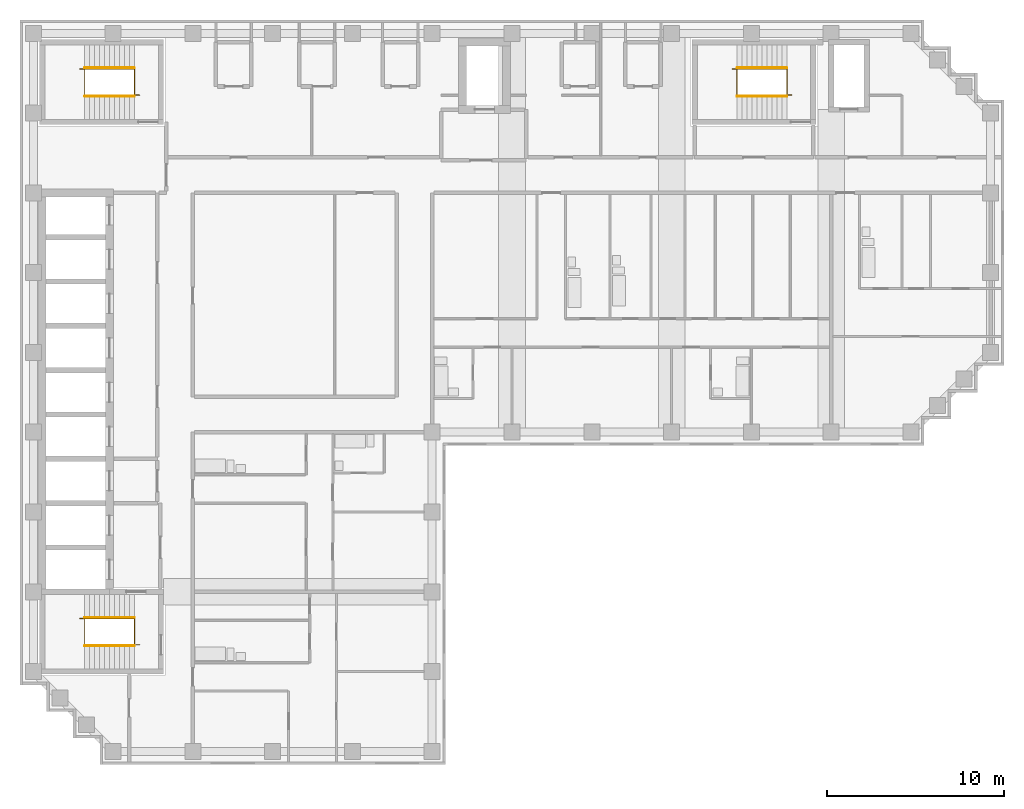
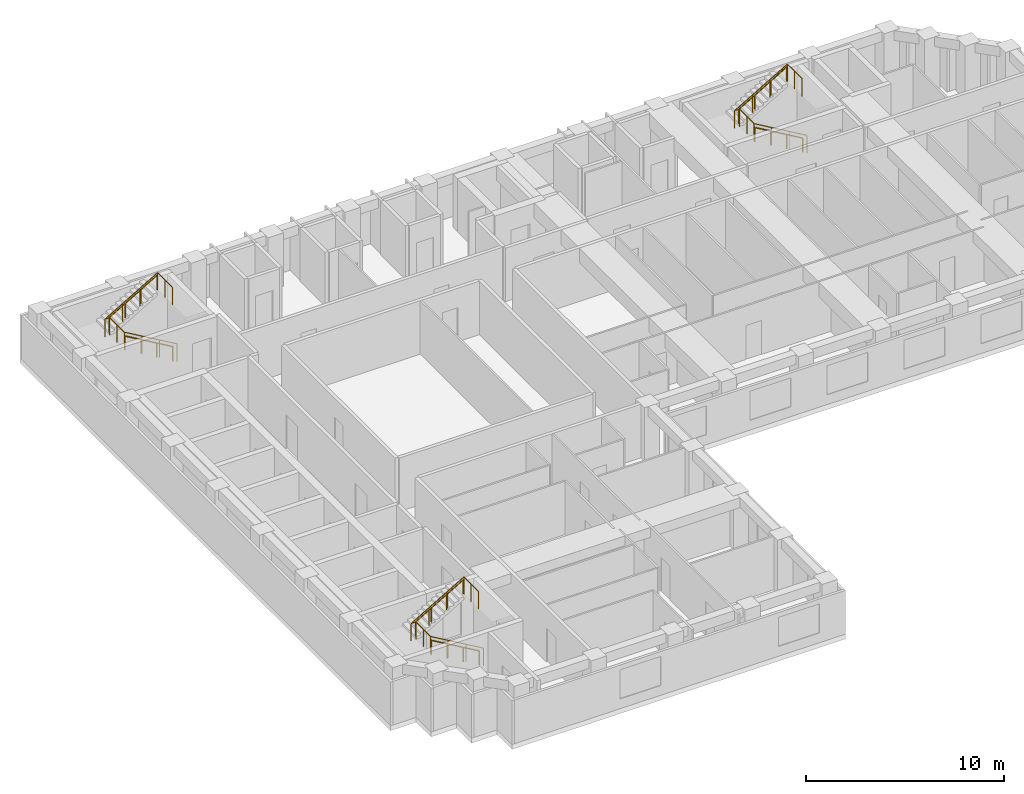
# One storey, part 8 of 9: 9 railings.
"""IFC4 building model written with IfcOpenShell, lengths in metres."""

from ifc_helpers import new_model, si_unit, direction, frame, origin, origin_2d, place, context, subcontext, project, spatial, circle, extrude, material, type_object, element, save


model = new_model("IFC4")

# Units and contexts
model_context = context("Model", 3, precision=1e-05, world=origin(), true_north=direction((0.0, 1.0)))
body_context = subcontext(model_context, "Body", "Model", "MODEL_VIEW")
ifc_project = project(units=[si_unit("LENGTHUNIT", "METRE"), si_unit("AREAUNIT", "SQUARE_METRE"), si_unit("VOLUMEUNIT", "CUBIC_METRE"), si_unit("PLANEANGLEUNIT", "RADIAN"), si_unit("MASSUNIT", "GRAM", prefix="KILO")], contexts=[model_context])

# Site, building, storey
site_placement = place(None, origin())
site = spatial("IfcSite", under=ifc_project, at=site_placement, CompositionType="ELEMENT")
building_placement = place(site_placement, origin())
building = spatial("IfcBuilding", under=site, at=building_placement, Name="Firuza Court", CompositionType="ELEMENT")
storey_placement = place(building_placement, frame((0.0, 0.0, 225.800048828125)))
storey = spatial("IfcBuildingStorey", under=building, at=storey_placement, Name="L58", CompositionType="ELEMENT", Elevation=225.800048828125)

# Railings
ifc_material_1 = material(Name="Steel S355", Category="steel")
railing_type_1 = type_object("IfcRailingType", Name="Handrail 900", PredefinedType="HANDRAIL", material=ifc_material_1)
railing_1_placement = place(storey_placement, frame((42.5, 54.949951171875, 0.16357421875)))
element("IfcRailing", 1, at=railing_1_placement, inside=storey, type_object=railing_type_1, Name="Handrail S1 flight 1", PredefinedType="HANDRAIL", context=body_context, shape_type="SweptSolid", body=[
    extrude(circle(Radius=0.02490234375, at=origin_2d()), frame((0.0, 0.0, 0.875), z_axis=(-0.863360870873, 0.0, 0.504586966384), x_axis=(0.0, -1.0, 0.0)), (0.0, 0.0, 1.0), 3.2431640625),
    extrude(circle(Radius=0.02001953125, at=origin_2d()), origin(), (0.0, 0.0, 1.0), 0.849853515625),
    extrude(circle(Radius=0.02001953125, at=origin_2d()), frame((-0.933349609375, 0.0, 0.54541015625)), (0.0, 0.0, 1.0), 0.849853515625),
    extrude(circle(Radius=0.02001953125, at=origin_2d()), frame((-1.86669921875, 0.0, 1.091064453125)), (0.0, 0.0, 1.0), 0.849853515625),
    extrude(circle(Radius=0.02001953125, at=origin_2d()), frame((-2.800048828125, 0.0, 1.636474609375)), (0.0, 0.0, 1.0), 0.849853515625),
])
railing_2_placement = place(storey_placement, frame((39.699951171875, 56.550048828125, 1.963623046875)))
element("IfcRailing", 2, at=railing_2_placement, inside=storey, type_object=railing_type_1, Name="Handrail S1 flight 2", PredefinedType="HANDRAIL", context=body_context, shape_type="SweptSolid", body=[
    extrude(circle(Radius=0.02490234375, at=origin_2d()), frame((0.0, 0.0, 0.875), z_axis=(0.863393664356, 0.0, 0.504530851732), x_axis=(0.0, 1.0, 0.0)), (0.0, 0.0, 1.0), 3.2431640625),
    extrude(circle(Radius=0.02001953125, at=origin_2d()), origin(), (0.0, 0.0, 1.0), 0.849853515625),
    extrude(circle(Radius=0.02001953125, at=origin_2d()), frame((0.933349609375, 0.0, 0.54541015625)), (0.0, 0.0, 1.0), 0.849853515625),
    extrude(circle(Radius=0.02001953125, at=origin_2d()), frame((1.86669921875, 0.0, 1.0908203125)), (0.0, 0.0, 1.0), 0.849853515625),
    extrude(circle(Radius=0.02001953125, at=origin_2d()), frame((2.800048828125, 0.0, 1.63623046875)), (0.0, 0.0, 1.0), 0.849853515625),
])
railing_3_placement = place(storey_placement, frame((5.699951171875, 23.949951171875, 0.16357421875)))
element("IfcRailing", 3, at=railing_3_placement, inside=storey, type_object=railing_type_1, Name="Handrail S2 flight 1", PredefinedType="HANDRAIL", context=body_context, shape_type="SweptSolid", body=[
    extrude(circle(Radius=0.02490234375, at=origin_2d()), frame((0.0, 0.0, 0.875), z_axis=(-0.863360870873, 0.0, 0.504586966384), x_axis=(0.0, -1.0, 0.0)), (0.0, 0.0, 1.0), 3.2431640625),
    extrude(circle(Radius=0.02001953125, at=origin_2d()), origin(), (0.0, 0.0, 1.0), 0.849853515625),
    extrude(circle(Radius=0.02001953125, at=origin_2d()), frame((-0.933349609375, 0.0, 0.54541015625)), (0.0, 0.0, 1.0), 0.849853515625),
    extrude(circle(Radius=0.02001953125, at=origin_2d()), frame((-1.86669921875, 0.0, 1.091064453125)), (0.0, 0.0, 1.0), 0.849853515625),
    extrude(circle(Radius=0.02001953125, at=origin_2d()), frame((-2.800048828125, 0.0, 1.636474609375)), (0.0, 0.0, 1.0), 0.849853515625),
])
railing_4_placement = place(storey_placement, frame((2.89990234375, 25.550048828125, 1.963623046875)))
element("IfcRailing", 4, at=railing_4_placement, inside=storey, type_object=railing_type_1, Name="Handrail S2 flight 2", PredefinedType="HANDRAIL", context=body_context, shape_type="SweptSolid", body=[
    extrude(circle(Radius=0.02490234375, at=origin_2d()), frame((0.0, 0.0, 0.875), z_axis=(0.863393664356, 0.0, 0.504530851732), x_axis=(0.0, 1.0, 0.0)), (0.0, 0.0, 1.0), 3.2431640625),
    extrude(circle(Radius=0.02001953125, at=origin_2d()), origin(), (0.0, 0.0, 1.0), 0.849853515625),
    extrude(circle(Radius=0.02001953125, at=origin_2d()), frame((0.933349609375, 0.0, 0.54541015625)), (0.0, 0.0, 1.0), 0.849853515625),
    extrude(circle(Radius=0.02001953125, at=origin_2d()), frame((1.86669921875, 0.0, 1.0908203125)), (0.0, 0.0, 1.0), 0.849853515625),
    extrude(circle(Radius=0.02001953125, at=origin_2d()), frame((2.800048828125, 0.0, 1.63623046875)), (0.0, 0.0, 1.0), 0.849853515625),
])
railing_5_placement = place(storey_placement, frame((5.699951171875, 54.949951171875, 0.16357421875)))
element("IfcRailing", 5, at=railing_5_placement, inside=storey, type_object=railing_type_1, Name="Handrail S3 flight 1", PredefinedType="HANDRAIL", context=body_context, shape_type="SweptSolid", body=[
    extrude(circle(Radius=0.02490234375, at=origin_2d()), frame((0.0, 0.0, 0.875), z_axis=(-0.863360870873, 0.0, 0.504586966384), x_axis=(0.0, -1.0, 0.0)), (0.0, 0.0, 1.0), 3.2431640625),
    extrude(circle(Radius=0.02001953125, at=origin_2d()), origin(), (0.0, 0.0, 1.0), 0.849853515625),
    extrude(circle(Radius=0.02001953125, at=origin_2d()), frame((-0.933349609375, 0.0, 0.54541015625)), (0.0, 0.0, 1.0), 0.849853515625),
    extrude(circle(Radius=0.02001953125, at=origin_2d()), frame((-1.86669921875, 0.0, 1.091064453125)), (0.0, 0.0, 1.0), 0.849853515625),
    extrude(circle(Radius=0.02001953125, at=origin_2d()), frame((-2.800048828125, 0.0, 1.636474609375)), (0.0, 0.0, 1.0), 0.849853515625),
])
railing_6_placement = place(storey_placement, frame((2.89990234375, 56.550048828125, 1.963623046875)))
element("IfcRailing", 6, at=railing_6_placement, inside=storey, type_object=railing_type_1, Name="Handrail S3 flight 2", PredefinedType="HANDRAIL", context=body_context, shape_type="SweptSolid", body=[
    extrude(circle(Radius=0.02490234375, at=origin_2d()), frame((0.0, 0.0, 0.875), z_axis=(0.863393664356, 0.0, 0.504530851732), x_axis=(0.0, 1.0, 0.0)), (0.0, 0.0, 1.0), 3.2431640625),
    extrude(circle(Radius=0.02001953125, at=origin_2d()), origin(), (0.0, 0.0, 1.0), 0.849853515625),
    extrude(circle(Radius=0.02001953125, at=origin_2d()), frame((0.933349609375, 0.0, 0.54541015625)), (0.0, 0.0, 1.0), 0.849853515625),
    extrude(circle(Radius=0.02001953125, at=origin_2d()), frame((1.86669921875, 0.0, 1.0908203125)), (0.0, 0.0, 1.0), 0.849853515625),
    extrude(circle(Radius=0.02001953125, at=origin_2d()), frame((2.800048828125, 0.0, 1.63623046875)), (0.0, 0.0, 1.0), 0.849853515625),
])
ifc_material_2 = material(Name="Steel S355", Category="steel")
railing_type_2 = type_object("IfcRailingType", Name="Stair guard 1100", PredefinedType="GUARDRAIL", material=ifc_material_2)
railing_7_placement = place(storey_placement, frame((42.780029296875, 55.010009765625, 0.0)))
element("IfcRailing", 7, at=railing_7_placement, inside=storey, type_object=railing_type_2, Name="Stair well guard S1", PredefinedType="GUARDRAIL", context=body_context, shape_type="SweptSolid", body=[
    extrude(circle(Radius=0.02490234375, at=origin_2d()), frame((0.0, 0.0, 1.0751953125), z_axis=(-0.863371556955, 0.0, 0.504568681787), x_axis=(0.0, -1.0, 0.0)), (0.0, 0.0, 1.0), 3.5673828125),
    extrude(circle(Radius=0.02490234375, at=origin_2d()), frame((-3.080078125, 0.0, 2.875), z_axis=(0.0, 1.0, 0.0), x_axis=(-1.0, 0.0, 0.0)), (0.0, 0.0, 1.0), 1.47998046875),
    extrude(circle(Radius=0.02490234375, at=origin_2d()), frame((-3.080078125, 1.47998046875, 2.875), z_axis=(-1.0, 0.0, 0.0), x_axis=(0.0, -1.0, 0.0)), (0.0, 0.0, 1.0), 0.280029296875),
    extrude(circle(Radius=0.02490234375, at=origin_2d()), frame((-3.360107421875, 1.47998046875, 2.875), z_axis=(0.863401368682, 0.0, 0.504517667242), x_axis=(0.0, 1.0, 0.0)), (0.0, 0.0, 1.0), 3.5673828125),
    extrude(circle(Radius=0.02490234375, at=origin_2d()), frame((-0.280029296875, 1.47998046875, 4.6748046875), z_axis=(0.0, -1.0, 0.0), x_axis=(1.0, 0.0, 0.0)), (0.0, 0.0, 1.0), 1.47998046875),
    extrude(circle(Radius=0.02490234375, at=origin_2d()), origin(), (0.0, 0.0, 1.0), 1.050048828125),
    extrude(circle(Radius=0.02490234375, at=origin_2d()), frame((-1.026611328125, 0.0, 0.60009765625)), (0.0, 0.0, 1.0), 1.050048828125),
    extrude(circle(Radius=0.02490234375, at=origin_2d()), frame((-2.053466796875, 0.0, 1.199951171875)), (0.0, 0.0, 1.0), 1.050048828125),
    extrude(circle(Radius=0.02490234375, at=origin_2d()), frame((-3.080078125, 0.0, 1.800048828125)), (0.0, 0.0, 1.0), 1.050048828125),
    extrude(circle(Radius=0.02490234375, at=origin_2d()), frame((-3.080078125, 0.739990234375, 1.800048828125)), (0.0, 0.0, 1.0), 1.050048828125),
    extrude(circle(Radius=0.02490234375, at=origin_2d()), frame((-3.080078125, 1.47998046875, 1.800048828125)), (0.0, 0.0, 1.0), 1.050048828125),
    extrude(circle(Radius=0.02490234375, at=origin_2d()), frame((-3.360107421875, 1.47998046875, 1.800048828125)), (0.0, 0.0, 1.0), 1.050048828125),
    extrude(circle(Radius=0.02490234375, at=origin_2d()), frame((-2.33349609375, 1.47998046875, 2.39990234375)), (0.0, 0.0, 1.0), 1.050048828125),
    extrude(circle(Radius=0.02490234375, at=origin_2d()), frame((-1.306640625, 1.47998046875, 3.0)), (0.0, 0.0, 1.0), 1.050048828125),
    extrude(circle(Radius=0.02490234375, at=origin_2d()), frame((-0.280029296875, 1.47998046875, 3.599853515625)), (0.0, 0.0, 1.0), 1.050048828125),
    extrude(circle(Radius=0.02490234375, at=origin_2d()), frame((-0.280029296875, 0.739990234375, 3.599853515625)), (0.0, 0.0, 1.0), 1.050048828125),
    extrude(circle(Radius=0.02490234375, at=origin_2d()), frame((-0.280029296875, 0.0, 3.599853515625)), (0.0, 0.0, 1.0), 1.050048828125),
])
railing_8_placement = place(storey_placement, frame((5.97998046875, 24.010009765625, 0.0)))
element("IfcRailing", 8, at=railing_8_placement, inside=storey, type_object=railing_type_2, Name="Stair well guard S2", PredefinedType="GUARDRAIL", context=body_context, shape_type="SweptSolid", body=[
    extrude(circle(Radius=0.02490234375, at=origin_2d()), frame((0.0, 0.0, 1.0751953125), z_axis=(-0.863371556955, 0.0, 0.504568681787), x_axis=(0.0, -1.0, 0.0)), (0.0, 0.0, 1.0), 3.5673828125),
    extrude(circle(Radius=0.02490234375, at=origin_2d()), frame((-3.080078125, 0.0, 2.875), z_axis=(0.0, 1.0, 0.0), x_axis=(-1.0, 0.0, 0.0)), (0.0, 0.0, 1.0), 1.47998046875),
    extrude(circle(Radius=0.02490234375, at=origin_2d()), frame((-3.080078125, 1.47998046875, 2.875), z_axis=(-1.0, 0.0, 0.0), x_axis=(0.0, -1.0, 0.0)), (0.0, 0.0, 1.0), 0.27978515625),
    extrude(circle(Radius=0.02490234375, at=origin_2d()), frame((-3.35986328125, 1.47998046875, 2.875), z_axis=(0.863383947312, 0.0, 0.504547479951), x_axis=(0.0, 1.0, 0.0)), (0.0, 0.0, 1.0), 3.567138671875),
    extrude(circle(Radius=0.02490234375, at=origin_2d()), frame((-0.280029296875, 1.47998046875, 4.6748046875), z_axis=(0.0, -1.0, 0.0), x_axis=(1.0, 0.0, 0.0)), (0.0, 0.0, 1.0), 1.47998046875),
    extrude(circle(Radius=0.02490234375, at=origin_2d()), origin(), (0.0, 0.0, 1.0), 1.050048828125),
    extrude(circle(Radius=0.02490234375, at=origin_2d()), frame((-1.026611328125, 0.0, 0.60009765625)), (0.0, 0.0, 1.0), 1.050048828125),
    extrude(circle(Radius=0.02490234375, at=origin_2d()), frame((-2.053466796875, 0.0, 1.199951171875)), (0.0, 0.0, 1.0), 1.050048828125),
    extrude(circle(Radius=0.02490234375, at=origin_2d()), frame((-3.080078125, 0.0, 1.800048828125)), (0.0, 0.0, 1.0), 1.050048828125),
    extrude(circle(Radius=0.02490234375, at=origin_2d()), frame((-3.080078125, 0.739990234375, 1.800048828125)), (0.0, 0.0, 1.0), 1.050048828125),
    extrude(circle(Radius=0.02490234375, at=origin_2d()), frame((-3.080078125, 1.47998046875, 1.800048828125)), (0.0, 0.0, 1.0), 1.050048828125),
    extrude(circle(Radius=0.02490234375, at=origin_2d()), frame((-3.35986328125, 1.47998046875, 1.800048828125)), (0.0, 0.0, 1.0), 1.050048828125),
    extrude(circle(Radius=0.02490234375, at=origin_2d()), frame((-2.333251953125, 1.47998046875, 2.39990234375)), (0.0, 0.0, 1.0), 1.050048828125),
    extrude(circle(Radius=0.02490234375, at=origin_2d()), frame((-1.306640625, 1.47998046875, 3.0)), (0.0, 0.0, 1.0), 1.050048828125),
    extrude(circle(Radius=0.02490234375, at=origin_2d()), frame((-0.280029296875, 1.47998046875, 3.599853515625)), (0.0, 0.0, 1.0), 1.050048828125),
    extrude(circle(Radius=0.02490234375, at=origin_2d()), frame((-0.280029296875, 0.739990234375, 3.599853515625)), (0.0, 0.0, 1.0), 1.050048828125),
    extrude(circle(Radius=0.02490234375, at=origin_2d()), frame((-0.280029296875, 0.0, 3.599853515625)), (0.0, 0.0, 1.0), 1.050048828125),
])
railing_9_placement = place(storey_placement, frame((5.97998046875, 55.010009765625, 0.0)))
element("IfcRailing", 9, at=railing_9_placement, inside=storey, type_object=railing_type_2, Name="Stair well guard S3", PredefinedType="GUARDRAIL", context=body_context, shape_type="SweptSolid", body=[
    extrude(circle(Radius=0.02490234375, at=origin_2d()), frame((0.0, 0.0, 1.0751953125), z_axis=(-0.863371556955, 0.0, 0.504568681787), x_axis=(0.0, -1.0, 0.0)), (0.0, 0.0, 1.0), 3.5673828125),
    extrude(circle(Radius=0.02490234375, at=origin_2d()), frame((-3.080078125, 0.0, 2.875), z_axis=(0.0, 1.0, 0.0), x_axis=(-1.0, 0.0, 0.0)), (0.0, 0.0, 1.0), 1.47998046875),
    extrude(circle(Radius=0.02490234375, at=origin_2d()), frame((-3.080078125, 1.47998046875, 2.875), z_axis=(-1.0, 0.0, 0.0), x_axis=(0.0, -1.0, 0.0)), (0.0, 0.0, 1.0), 0.27978515625),
    extrude(circle(Radius=0.02490234375, at=origin_2d()), frame((-3.35986328125, 1.47998046875, 2.875), z_axis=(0.863383947312, 0.0, 0.504547479951), x_axis=(0.0, 1.0, 0.0)), (0.0, 0.0, 1.0), 3.567138671875),
    extrude(circle(Radius=0.02490234375, at=origin_2d()), frame((-0.280029296875, 1.47998046875, 4.6748046875), z_axis=(0.0, -1.0, 0.0), x_axis=(1.0, 0.0, 0.0)), (0.0, 0.0, 1.0), 1.47998046875),
    extrude(circle(Radius=0.02490234375, at=origin_2d()), origin(), (0.0, 0.0, 1.0), 1.050048828125),
    extrude(circle(Radius=0.02490234375, at=origin_2d()), frame((-1.026611328125, 0.0, 0.60009765625)), (0.0, 0.0, 1.0), 1.050048828125),
    extrude(circle(Radius=0.02490234375, at=origin_2d()), frame((-2.053466796875, 0.0, 1.199951171875)), (0.0, 0.0, 1.0), 1.050048828125),
    extrude(circle(Radius=0.02490234375, at=origin_2d()), frame((-3.080078125, 0.0, 1.800048828125)), (0.0, 0.0, 1.0), 1.050048828125),
    extrude(circle(Radius=0.02490234375, at=origin_2d()), frame((-3.080078125, 0.739990234375, 1.800048828125)), (0.0, 0.0, 1.0), 1.050048828125),
    extrude(circle(Radius=0.02490234375, at=origin_2d()), frame((-3.080078125, 1.47998046875, 1.800048828125)), (0.0, 0.0, 1.0), 1.050048828125),
    extrude(circle(Radius=0.02490234375, at=origin_2d()), frame((-3.35986328125, 1.47998046875, 1.800048828125)), (0.0, 0.0, 1.0), 1.050048828125),
    extrude(circle(Radius=0.02490234375, at=origin_2d()), frame((-2.333251953125, 1.47998046875, 2.39990234375)), (0.0, 0.0, 1.0), 1.050048828125),
    extrude(circle(Radius=0.02490234375, at=origin_2d()), frame((-1.306640625, 1.47998046875, 3.0)), (0.0, 0.0, 1.0), 1.050048828125),
    extrude(circle(Radius=0.02490234375, at=origin_2d()), frame((-0.280029296875, 1.47998046875, 3.599853515625)), (0.0, 0.0, 1.0), 1.050048828125),
    extrude(circle(Radius=0.02490234375, at=origin_2d()), frame((-0.280029296875, 0.739990234375, 3.599853515625)), (0.0, 0.0, 1.0), 1.050048828125),
    extrude(circle(Radius=0.02490234375, at=origin_2d()), frame((-0.280029296875, 0.0, 3.599853515625)), (0.0, 0.0, 1.0), 1.050048828125),
])

save(model, "model.ifc")
